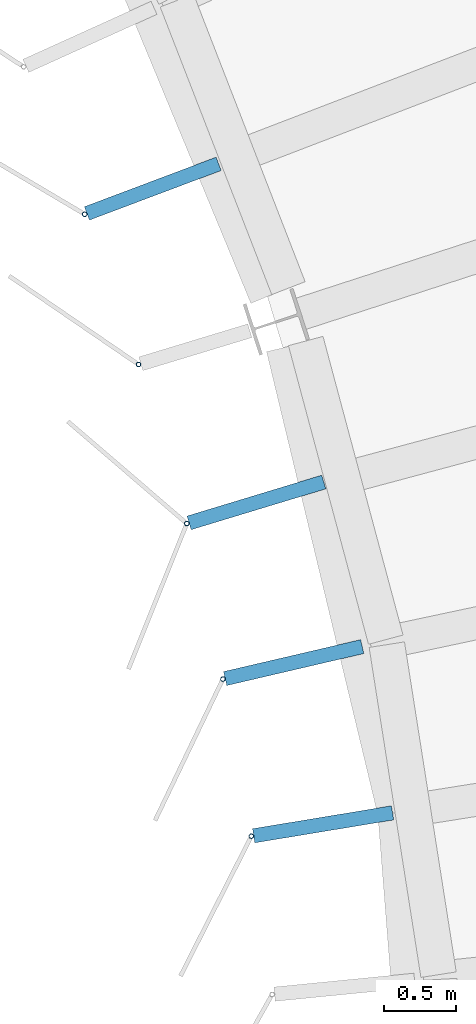
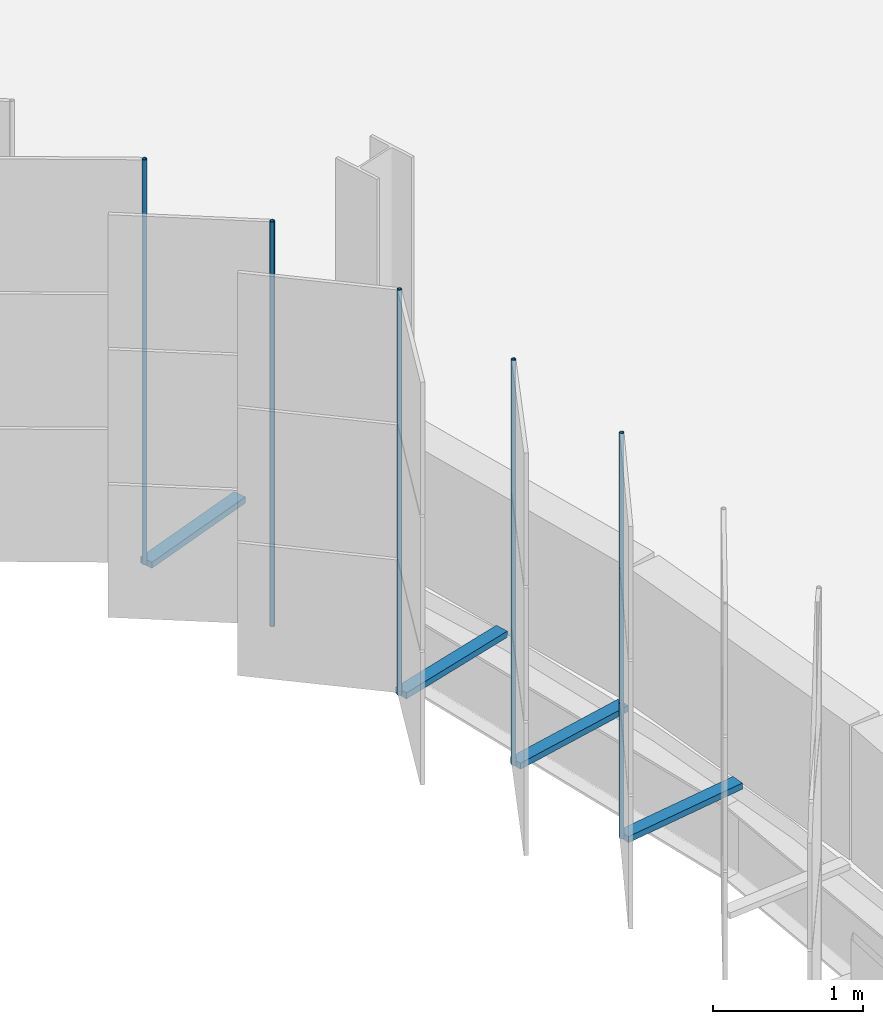
# One storey, part 105 of 199: 9 discrete accessories.
"""IFC4 building model written with IfcOpenShell, lengths in metres."""

from ifc_helpers import new_model, si_unit, direction, frame, origin, origin_2d, place, context, subcontext, project, spatial, rectangle, hollow_circle, extrude, material, material_profile, profile_set, type_object, element, save


model = new_model("IFC4")

# Units and contexts
model_context = context("Model", 3, precision=1e-05, world=origin(), true_north=direction((0.0, 1.0)))
body_context = subcontext(model_context, "Body", "Model", "MODEL_VIEW")
ifc_project = project(units=[si_unit("LENGTHUNIT", "METRE"), si_unit("AREAUNIT", "SQUARE_METRE"), si_unit("VOLUMEUNIT", "CUBIC_METRE"), si_unit("PLANEANGLEUNIT", "RADIAN"), si_unit("MASSUNIT", "GRAM", prefix="KILO")], contexts=[model_context])

# Site, building, storey
site_placement = place(None, origin())
site = spatial("IfcSite", under=ifc_project, at=site_placement, CompositionType="ELEMENT")
building_placement = place(site_placement, origin())
building = spatial("IfcBuilding", under=site, at=building_placement, Name="Parallax Yard Mobility Hub", CompositionType="ELEMENT")
storey_placement = place(building_placement, frame((0.0, 0.0, 9.89990234375)))
storey = spatial("IfcBuildingStorey", under=building, at=storey_placement, Name="L03", CompositionType="ELEMENT", Elevation=9.89990234375)

# Discrete accessories
ifc_material_1 = material(Name="Steel ASTM A36, hot-dip galvanised", Category="steel")
discrete_accessory_type_1 = type_object("IfcDiscreteAccessoryType", Name="Hinge bracket plate 100x50", PredefinedType="BRACKET", material=ifc_material_1)
for number, where, z_axis, x_axis, name in (
    (1, (193.035400390625, 97.884521484375, -0.02490234375), (0.0, 0.0, 1.0), (-0.935905926757, -0.352250047921, 0.0), "Hinge bracket plate bay 21.6 level L03"),
    (2, (193.760009765625, 95.690185546875, -0.02490234375), (0.0, 0.0, 1.0), (-0.956940335732, -0.290284677254, 0.0), "Hinge bracket plate bay 22.2 level L03"),
    (3, (194.020751953125, 94.570556640625, -0.02490234375), (0.0, 0.0, 1.0), (-0.973876979277, -0.227076263034, 0.0), "Hinge bracket plate bay 22.3 level L03"),
    (4, (194.226318359375, 93.439697265625, -0.02490234375), (0.0, 0.0, 1.0), (-0.986643332085, -0.162895473395, 0.0), "Hinge bracket plate bay 22.4 level L03"),
):
    element("IfcDiscreteAccessory", number, at=place(storey_placement, frame(where, z_axis=z_axis, x_axis=x_axis)), inside=storey, type_object=discrete_accessory_type_1, Name=name, PredefinedType="BRACKET", context=body_context, shape_type="SweptSolid", body=[
        extrude(rectangle(XDim=0.984130859375, YDim=0.10009765625, at=origin_2d()), origin(), (0.0, 0.0, 1.0), 0.050048828125),
    ])
ifc_material_2 = material(Name="Steel ASTM A500 Gr C, hot-dip galvanised", Category="steel")
ifc_material_profile = material_profile(ifc_material_2, hollow_circle(Radius=0.016845703125, WallThickness=0.003173828125, at=origin_2d()), Name="CHS 33.7x3.2")
ifc_profile_set = profile_set([ifc_material_profile], Name="Steel ASTM A500 Gr C, hot-dip galvanised")
discrete_accessory_type_2 = type_object("IfcDiscreteAccessoryType", Name="Hinge post CHS 33.7x3.2", PredefinedType="BRACKET", material=ifc_profile_set)
for number, where, z_axis, x_axis, name in (
    (5, (192.559326171875, 97.705322265625, 0.0), (0.0, 0.0, 1.0), (1.0, 0.0, 0.0), "Hinge post bay 21.6 level L03"),
    (6, (192.93603515625, 96.65478515625, 0.0), (0.0, 0.0, 1.0), (1.0, 0.0, 0.0), "Hinge post bay 22.1 level L03"),
    (7, (193.2734375, 95.542724609375, 0.0), (0.0, 0.0, 1.0), (1.0, 0.0, 0.0), "Hinge post bay 22.2 level L03"),
    (8, (193.525634765625, 94.455078125, 0.0), (0.0, 0.0, 1.0), (1.0, 0.0, 0.0), "Hinge post bay 22.3 level L03"),
    (9, (193.724609375, 93.35693359375, 0.0), (0.0, 0.0, 1.0), (1.0, 0.0, 0.0), "Hinge post bay 22.4 level L03"),
):
    element("IfcDiscreteAccessory", number, at=place(storey_placement, frame(where, z_axis=z_axis, x_axis=x_axis)), inside=storey, type_object=discrete_accessory_type_2, Name=name, PredefinedType="BRACKET", context=body_context, shape_type="SweptSolid", body=[
        extrude(hollow_circle(Radius=0.016845703125, WallThickness=0.003173828125, at=origin_2d()), origin(), (0.0, 0.0, 1.0), 3.300048828125),
    ])

save(model, "model.ifc")
